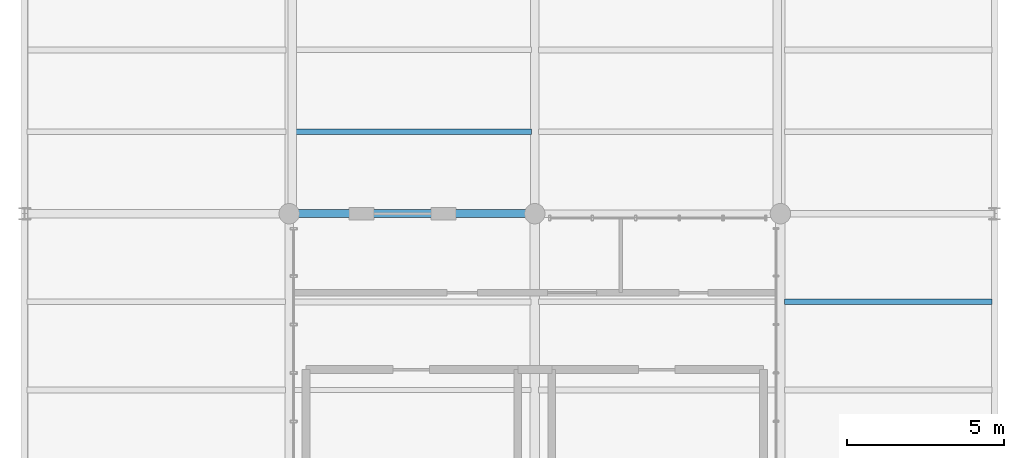
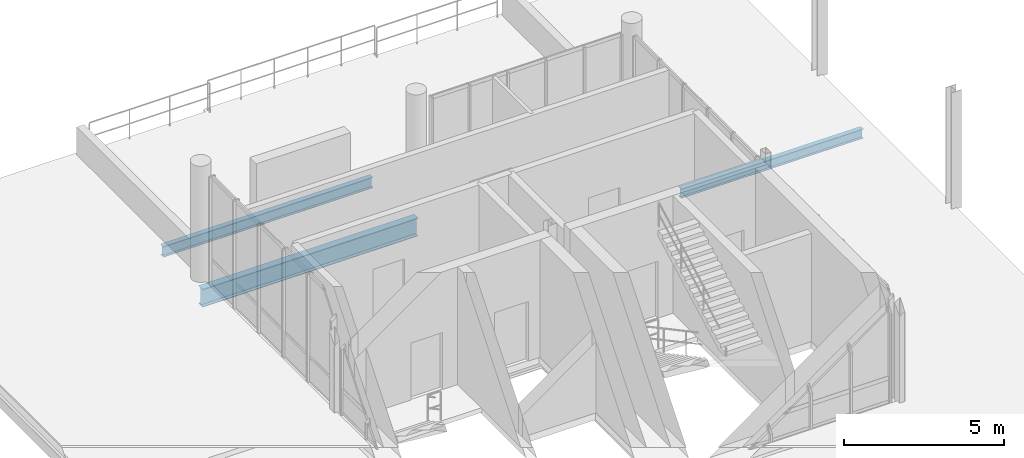
# One storey, part 45 of 66: 3 beams.
"""IFC4 building model written with IfcOpenShell, lengths in metres."""

from ifc_helpers import new_model, si_unit, direction, frame, origin_with_axes, origin_2d_with_axis, place, context, subcontext, project, spatial, i_section, extrude, material, material_profile, profile_set, type_object, element, save


model = new_model("IFC4")

# Units and contexts
model_context = context("Model", 3, precision=1e-05, world=origin_with_axes(), true_north=direction((0.0, 1.0)))
body_context = subcontext(model_context, "Body", "Model", "MODEL_VIEW")
ifc_project = project(units=[si_unit("LENGTHUNIT", "METRE"), si_unit("AREAUNIT", "SQUARE_METRE"), si_unit("VOLUMEUNIT", "CUBIC_METRE"), si_unit("PLANEANGLEUNIT", "RADIAN"), si_unit("MASSUNIT", "GRAM", prefix="KILO"), si_unit("THERMODYNAMICTEMPERATUREUNIT", "KELVIN")], contexts=[model_context])

# Site, building, storey
site_placement = place(None, origin_with_axes())
site = spatial("IfcSite", under=ifc_project, at=site_placement, CompositionType="ELEMENT")
building_placement = place(site_placement, origin_with_axes())
building = spatial("IfcBuilding", under=site, at=building_placement, Name="Montbau Bow Law Courts", CompositionType="ELEMENT")
storey_placement = place(building_placement, frame((0.0, 0.0, 34.5), z_axis=(0.0, 0.0, 1.0), x_axis=(1.0, 0.0, 0.0)))
storey = spatial("IfcBuildingStorey", under=building, at=storey_placement, Name="L07", CompositionType="ELEMENT", Elevation=34.5)

# Beams
ifc_material = material(Name="Steel CSA G40.21 Grade 350W (350 MPa)", Category="steel")
ifc_material_profile_1 = material_profile(ifc_material, i_section(OverallWidth=0.254, OverallDepth=0.688, WebThickness=0.0131, FlangeThickness=0.0211, at=origin_2d_with_axis()), Name="W690X152", Category="Main", Priority=0)
ifc_profile_set_1 = profile_set([ifc_material_profile_1], Name="Steel CSA G40.21 Grade 350W (350 MPa)")
beam_type_1 = type_object("IfcBeamType", Name="B-FLR-04", PredefinedType="BEAM", material=ifc_profile_set_1)
beam_1_placement = place(None, frame((147.0, 103.2, 33.796), z_axis=(1.0, 0.0, 0.0), x_axis=(0.0, 1.0, 0.0)))
element("IfcBeam", 1, at=beam_1_placement, inside=storey, type_object=beam_type_1, Name="BM-L07-S1351:bm2_1354", PredefinedType="BEAM", context=body_context, shape_type="SweptSolid", body=[
    extrude(i_section(OverallWidth=0.254, OverallDepth=0.688, WebThickness=0.0131, FlangeThickness=0.0211, at=origin_2d_with_axis()), origin_with_axes(), (0.0, 0.0, 1.0), 7.8),
])
ifc_material_profile_2 = material_profile(ifc_material, i_section(OverallWidth=0.179, OverallDepth=0.41, WebThickness=0.0088, FlangeThickness=0.0144, at=origin_2d_with_axis()), Name="W410X67", Category="Main", Priority=0)
ifc_profile_set_2 = profile_set([ifc_material_profile_2], Name="Steel CSA G40.21 Grade 350W (350 MPa)")
beam_type_2 = type_object("IfcBeamType", Name="B-JST-02", PredefinedType="JOIST", material=ifc_profile_set_2)
beam_2_placement = place(None, frame((147.103, 105.8, 33.935), z_axis=(1.0, 0.0, 0.0), x_axis=(0.0, 1.0, 0.0)))
element("IfcBeam", 2, at=beam_2_placement, inside=storey, type_object=beam_type_2, Name="JST-L07-S0749:jst2_0749", PredefinedType="JOIST", context=body_context, shape_type="SweptSolid", body=[
    extrude(i_section(OverallWidth=0.179, OverallDepth=0.41, WebThickness=0.0088, FlangeThickness=0.0144, at=origin_2d_with_axis()), origin_with_axes(), (0.0, 0.0, 1.0), 7.588),
])
ifc_material_profile_3 = material_profile(ifc_material, i_section(OverallWidth=0.172, OverallDepth=0.358, WebThickness=0.0079, FlangeThickness=0.0131, at=origin_2d_with_axis()), Name="W360X57", Category="Main", Priority=0)
ifc_profile_set_3 = profile_set([ifc_material_profile_3], Name="Steel CSA G40.21 Grade 350W (350 MPa)")
beam_type_3 = type_object("IfcBeamType", Name="B-JST-03", PredefinedType="JOIST", material=ifc_profile_set_3)
beam_3_placement = place(None, frame((162.729, 100.4, 33.961), z_axis=(1.0, 0.0, 0.0), x_axis=(0.0, 1.0, 0.0)))
element("IfcBeam", 3, at=beam_3_placement, inside=storey, type_object=beam_type_3, Name="JST-L07-S0762:jst2_0762", PredefinedType="JOIST", context=body_context, shape_type="SweptSolid", body=[
    extrude(i_section(OverallWidth=0.172, OverallDepth=0.358, WebThickness=0.0079, FlangeThickness=0.0131, at=origin_2d_with_axis()), origin_with_axes(), (0.0, 0.0, 1.0), 6.591),
])

save(model, "model.ifc")
